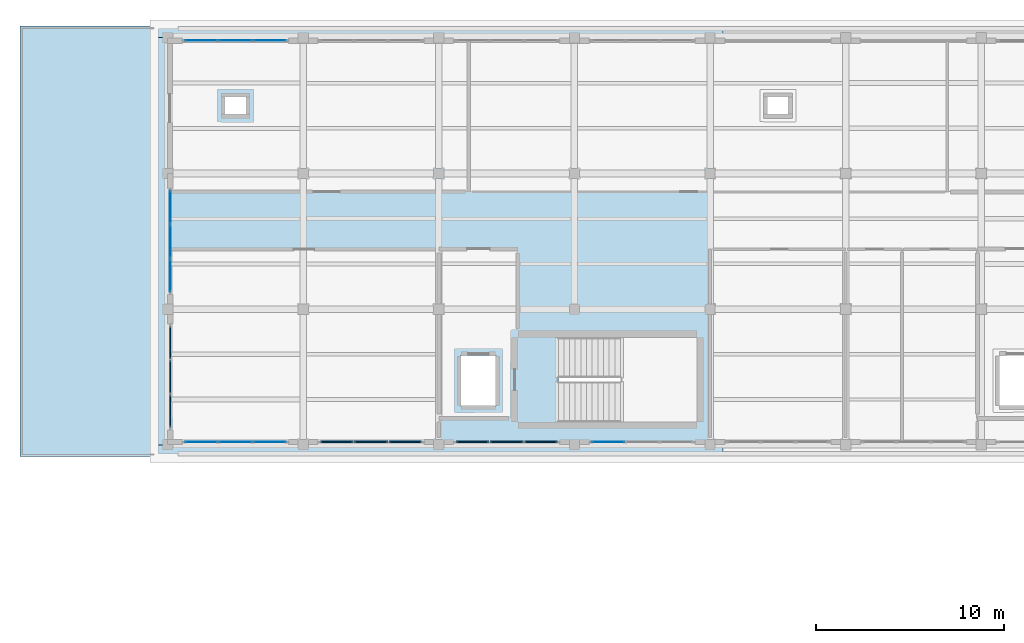
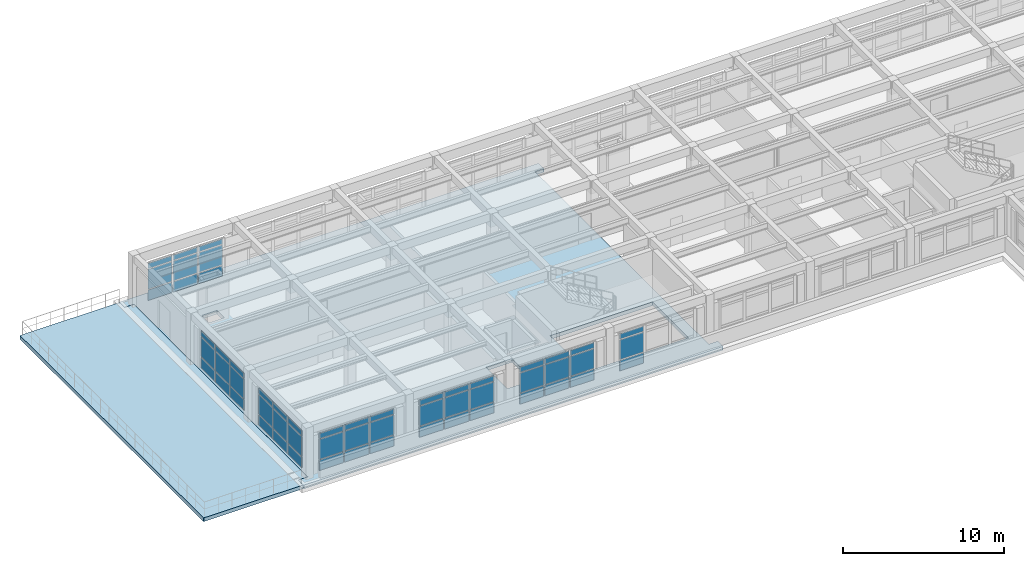
# One storey, part 11 of 21: 57 plates, 2 slabs, 7 elements without a shape of their own.
"""IFC4 building model written with IfcOpenShell, lengths in metres."""

from ifc_helpers import new_model, si_unit, direction, frame, origin, origin_2d, place, context, subcontext, project, spatial, polyline, rectangle, outline, extrude, material, layer, layer_set, type_object, element, aggregate, save


model = new_model("IFC4")

# Units and contexts
model_context = context("Model", 3, precision=1e-05, world=origin(), true_north=direction((0.0, 1.0)))
body_context = subcontext(model_context, "Body", "Model", "MODEL_VIEW")
ifc_project = project(units=[si_unit("LENGTHUNIT", "METRE"), si_unit("AREAUNIT", "SQUARE_METRE"), si_unit("VOLUMEUNIT", "CUBIC_METRE"), si_unit("PLANEANGLEUNIT", "RADIAN"), si_unit("MASSUNIT", "GRAM", prefix="KILO")], contexts=[model_context])

# Site, building, storey
site_placement = place(None, origin())
site = spatial("IfcSite", under=ifc_project, at=site_placement, CompositionType="ELEMENT")
building_placement = place(site_placement, origin())
building = spatial("IfcBuilding", under=site, at=building_placement, Name="Solenvale Faculty of Natural Sciences", CompositionType="ELEMENT")
storey_placement = place(building_placement, frame((0.0, 0.0, 31.199951171875)))
storey = spatial("IfcBuildingStorey", under=building, at=storey_placement, Name="L07", CompositionType="ELEMENT", Elevation=31.199951171875)

# Curtain wall, plates
ifc_material_1 = material(Name="Anodised bronze aluminium", Category="aluminium")
ifc_layer_1 = layer(ifc_material_1, 0.179931640625)
ifc_layer_set_1 = layer_set([ifc_layer_1], Name="Anodised bronze aluminium")
curtain_wall_type = type_object("IfcCurtainWallType", Name="CW-TWR-MOD", PredefinedType="USERDEFINED", material=ifc_layer_set_1)
curtain_wall_1_placement = place(storey_placement, origin())
curtain_wall_1 = element("IfcCurtainWall", 1, at=curtain_wall_1_placement, inside=storey, type_object=curtain_wall_type, Name="L07 Curtain Wall CW-L07-P1-E4-B4", ObjectType="UNITISED CURTAIN WALL", PredefinedType="USERDEFINED")
ifc_material_2 = material(Name="North-light skylight glass", Category="glass")
ifc_layer_2 = layer(ifc_material_2, 0.028076171875)
ifc_layer_set_2 = layer_set([ifc_layer_2], Name="North-light skylight glass")
plate_type_1 = type_object("IfcPlateType", Name="CWP-PNL-28", PredefinedType="CURTAIN_PANEL", material=ifc_layer_set_2)
plate_1_placement = place(storey_placement, frame((109.785400390625, 93.742431640625, 0.074951171875), z_axis=(0.0, 0.0, 1.0), x_axis=(1.0, 0.0, 0.0)))
plate_1 = element("IfcPlate", 2, at=plate_1_placement, type_object=plate_type_1, Name="CW-04 panel 1.1", PredefinedType="CURTAIN_PANEL", context=body_context, shape_type="SweptSolid", body=[
    extrude(rectangle(XDim=1.720947265625, YDim=0.028076171875, at=origin_2d()), origin(), (0.0, 0.0, 1.0), 0.78759765625),
])
plate_2_placement = place(storey_placement, frame((109.785400390625, 93.742431640625, 0.9375), z_axis=(0.0, 0.0, 1.0), x_axis=(1.0, 0.0, 0.0)))
plate_2 = element("IfcPlate", 3, at=plate_2_placement, type_object=plate_type_1, Name="CW-04 panel 1.2", PredefinedType="CURTAIN_PANEL", context=body_context, shape_type="SweptSolid", body=[
    extrude(rectangle(XDim=1.720947265625, YDim=0.028076171875, at=origin_2d()), origin(), (0.0, 0.0, 1.0), 1.485107421875),
])
plate_3_placement = place(storey_placement, frame((109.785400390625, 93.742431640625, 2.49755859375), z_axis=(0.0, 0.0, 1.0), x_axis=(1.0, 0.0, 0.0)))
plate_3 = element("IfcPlate", 4, at=plate_3_placement, type_object=plate_type_1, Name="CW-04 panel 1.3", PredefinedType="CURTAIN_PANEL", context=body_context, shape_type="SweptSolid", body=[
    extrude(rectangle(XDim=1.720947265625, YDim=0.028076171875, at=origin_2d()), origin(), (0.0, 0.0, 1.0), 0.387451171875),
])
aggregate(curtain_wall_1, [plate_1, plate_2, plate_3])

curtain_wall_2_placement = place(storey_placement, origin())
curtain_wall_2 = element("IfcCurtainWall", 5, at=curtain_wall_2_placement, inside=storey, type_object=curtain_wall_type, Name="L07 Curtain Wall CW-L07-P1-E2-B9", ObjectType="UNITISED CURTAIN WALL", PredefinedType="USERDEFINED")
ifc_material_3 = material(Name="Triple low-E insulated glass", Category="glass")
ifc_layer_3 = layer(ifc_material_3, 0.0400390625)
ifc_layer_set_3 = layer_set([ifc_layer_3], Name="Triple low-E insulated glass")
plate_type_2 = type_object("IfcPlateType", Name="CWP-PNL-40", PredefinedType="CURTAIN_PANEL", material=ifc_layer_set_3)
plate_4_placement = place(storey_placement, frame((91.814697265625, 115.0576171875, 0.074951171875), z_axis=(0.0, 0.0, 1.0), x_axis=(-1.0, 0.0, 0.0)))
plate_4 = element("IfcPlate", 6, at=plate_4_placement, type_object=plate_type_2, Name="CW-04 panel 1.1", PredefinedType="CURTAIN_PANEL", context=body_context, shape_type="SweptSolid", body=[
    extrude(rectangle(XDim=1.720947265625, YDim=0.0400390625, at=origin_2d()), origin(), (0.0, 0.0, 1.0), 0.78759765625),
])
plate_5_placement = place(storey_placement, frame((91.814697265625, 115.0576171875, 0.9375), z_axis=(0.0, 0.0, 1.0), x_axis=(-1.0, 0.0, 0.0)))
plate_5 = element("IfcPlate", 7, at=plate_5_placement, type_object=plate_type_2, Name="CW-04 panel 1.2", PredefinedType="CURTAIN_PANEL", context=body_context, shape_type="SweptSolid", body=[
    extrude(rectangle(XDim=1.720947265625, YDim=0.0400390625, at=origin_2d()), origin(), (0.0, 0.0, 1.0), 1.485107421875),
])
plate_6_placement = place(storey_placement, frame((91.814697265625, 115.0576171875, 2.49755859375), z_axis=(0.0, 0.0, 1.0), x_axis=(-1.0, 0.0, 0.0)))
plate_6 = element("IfcPlate", 8, at=plate_6_placement, type_object=plate_type_2, Name="CW-04 panel 1.3", PredefinedType="CURTAIN_PANEL", context=body_context, shape_type="SweptSolid", body=[
    extrude(rectangle(XDim=1.720947265625, YDim=0.0400390625, at=origin_2d()), origin(), (0.0, 0.0, 1.0), 0.387451171875),
])
plate_7_placement = place(storey_placement, frame((90.0, 115.0576171875, 0.074951171875), z_axis=(0.0, 0.0, 1.0), x_axis=(-1.0, 0.0, 0.0)))
plate_7 = element("IfcPlate", 9, at=plate_7_placement, type_object=plate_type_2, Name="CW-04 panel 2.1", PredefinedType="CURTAIN_PANEL", context=body_context, shape_type="SweptSolid", body=[
    extrude(rectangle(XDim=1.75830078125, YDim=0.0400390625, at=origin_2d()), origin(), (0.0, 0.0, 1.0), 0.78759765625),
])
plate_8_placement = place(storey_placement, frame((90.0, 115.0576171875, 0.9375), z_axis=(0.0, 0.0, 1.0), x_axis=(-1.0, 0.0, 0.0)))
plate_8 = element("IfcPlate", 10, at=plate_8_placement, type_object=plate_type_2, Name="CW-04 panel 2.2", PredefinedType="CURTAIN_PANEL", context=body_context, shape_type="SweptSolid", body=[
    extrude(rectangle(XDim=1.75830078125, YDim=0.0400390625, at=origin_2d()), origin(), (0.0, 0.0, 1.0), 1.485107421875),
])
plate_9_placement = place(storey_placement, frame((90.0, 115.0576171875, 2.49755859375), z_axis=(0.0, 0.0, 1.0), x_axis=(-1.0, 0.0, 0.0)))
plate_9 = element("IfcPlate", 11, at=plate_9_placement, type_object=plate_type_2, Name="CW-04 panel 2.3", PredefinedType="CURTAIN_PANEL", context=body_context, shape_type="SweptSolid", body=[
    extrude(rectangle(XDim=1.75830078125, YDim=0.0400390625, at=origin_2d()), origin(), (0.0, 0.0, 1.0), 0.387451171875),
])
plate_10_placement = place(storey_placement, frame((88.185302734375, 115.0576171875, 0.074951171875), z_axis=(0.0, 0.0, 1.0), x_axis=(-1.0, 0.0, 0.0)))
plate_10 = element("IfcPlate", 12, at=plate_10_placement, type_object=plate_type_2, Name="CW-04 panel 3.1", PredefinedType="CURTAIN_PANEL", context=body_context, shape_type="SweptSolid", body=[
    extrude(rectangle(XDim=1.720947265625, YDim=0.0400390625, at=origin_2d()), origin(), (0.0, 0.0, 1.0), 0.78759765625),
])
plate_11_placement = place(storey_placement, frame((88.185302734375, 115.0576171875, 0.9375), z_axis=(0.0, 0.0, 1.0), x_axis=(-1.0, 0.0, 0.0)))
plate_11 = element("IfcPlate", 13, at=plate_11_placement, type_object=plate_type_2, Name="CW-04 panel 3.2", PredefinedType="CURTAIN_PANEL", context=body_context, shape_type="SweptSolid", body=[
    extrude(rectangle(XDim=1.720947265625, YDim=0.0400390625, at=origin_2d()), origin(), (0.0, 0.0, 1.0), 1.485107421875),
])
plate_12_placement = place(storey_placement, frame((88.185302734375, 115.0576171875, 2.49755859375), z_axis=(0.0, 0.0, 1.0), x_axis=(-1.0, 0.0, 0.0)))
plate_12 = element("IfcPlate", 14, at=plate_12_placement, type_object=plate_type_2, Name="CW-04 panel 3.3", PredefinedType="CURTAIN_PANEL", context=body_context, shape_type="SweptSolid", body=[
    extrude(rectangle(XDim=1.720947265625, YDim=0.0400390625, at=origin_2d()), origin(), (0.0, 0.0, 1.0), 0.387451171875),
])
aggregate(curtain_wall_2, [plate_4, plate_5, plate_6, plate_7, plate_8, plate_9, plate_10, plate_11, plate_12])

curtain_wall_3_placement = place(storey_placement, origin())
curtain_wall_3 = element("IfcCurtainWall", 15, at=curtain_wall_3_placement, inside=storey, type_object=curtain_wall_type, Name="L07 Curtain Wall CW-L07-P1-E3-B2", ObjectType="UNITISED CURTAIN WALL", PredefinedType="USERDEFINED")
ifc_layer_4 = layer(ifc_material_1, 0.048095703125)
ifc_layer_set_4 = layer_set([ifc_layer_4], Name="Anodised bronze aluminium")
plate_type_3 = type_object("IfcPlateType", Name="CWP-PNL-48", PredefinedType="CURTAIN_PANEL", material=ifc_layer_set_4)
plate_13_placement = place(storey_placement, frame((86.54248046875, 106.214599609375, 0.074951171875), z_axis=(0.0, 0.0, 1.0), x_axis=(0.0, -1.0, 0.0)))
plate_13 = element("IfcPlate", 16, at=plate_13_placement, type_object=plate_type_3, Name="CW-04 panel 1.1", PredefinedType="CURTAIN_PANEL", context=body_context, shape_type="SweptSolid", body=[
    extrude(rectangle(XDim=1.720947265625, YDim=0.048095703125, at=origin_2d()), origin(), (0.0, 0.0, 1.0), 0.78759765625),
])
plate_14_placement = place(storey_placement, frame((86.54248046875, 106.214599609375, 0.9375), z_axis=(0.0, 0.0, 1.0), x_axis=(0.0, -1.0, 0.0)))
plate_14 = element("IfcPlate", 17, at=plate_14_placement, type_object=plate_type_3, Name="CW-04 panel 1.2", PredefinedType="CURTAIN_PANEL", context=body_context, shape_type="SweptSolid", body=[
    extrude(rectangle(XDim=1.720947265625, YDim=0.048095703125, at=origin_2d()), origin(), (0.0, 0.0, 1.0), 1.485107421875),
])
plate_15_placement = place(storey_placement, frame((86.54248046875, 106.214599609375, 2.49755859375), z_axis=(0.0, 0.0, 1.0), x_axis=(0.0, -1.0, 0.0)))
plate_15 = element("IfcPlate", 18, at=plate_15_placement, type_object=plate_type_3, Name="CW-04 panel 1.3", PredefinedType="CURTAIN_PANEL", context=body_context, shape_type="SweptSolid", body=[
    extrude(rectangle(XDim=1.720947265625, YDim=0.048095703125, at=origin_2d()), origin(), (0.0, 0.0, 1.0), 0.387451171875),
])
plate_16_placement = place(storey_placement, frame((86.54248046875, 104.39990234375, 0.074951171875), z_axis=(0.0, 0.0, 1.0), x_axis=(0.0, -1.0, 0.0)))
plate_16 = element("IfcPlate", 19, at=plate_16_placement, type_object=plate_type_3, Name="CW-04 panel 2.1", PredefinedType="CURTAIN_PANEL", context=body_context, shape_type="SweptSolid", body=[
    extrude(rectangle(XDim=1.75830078125, YDim=0.048095703125, at=origin_2d()), origin(), (0.0, 0.0, 1.0), 0.78759765625),
])
plate_17_placement = place(storey_placement, frame((86.54248046875, 104.39990234375, 0.9375), z_axis=(0.0, 0.0, 1.0), x_axis=(0.0, -1.0, 0.0)))
plate_17 = element("IfcPlate", 20, at=plate_17_placement, type_object=plate_type_3, Name="CW-04 panel 2.2", PredefinedType="CURTAIN_PANEL", context=body_context, shape_type="SweptSolid", body=[
    extrude(rectangle(XDim=1.75830078125, YDim=0.048095703125, at=origin_2d()), origin(), (0.0, 0.0, 1.0), 1.485107421875),
])
plate_18_placement = place(storey_placement, frame((86.54248046875, 104.39990234375, 2.49755859375), z_axis=(0.0, 0.0, 1.0), x_axis=(0.0, -1.0, 0.0)))
plate_18 = element("IfcPlate", 21, at=plate_18_placement, type_object=plate_type_3, Name="CW-04 panel 2.3", PredefinedType="CURTAIN_PANEL", context=body_context, shape_type="SweptSolid", body=[
    extrude(rectangle(XDim=1.75830078125, YDim=0.048095703125, at=origin_2d()), origin(), (0.0, 0.0, 1.0), 0.387451171875),
])
plate_19_placement = place(storey_placement, frame((86.54248046875, 102.58544921875, 0.074951171875), z_axis=(0.0, 0.0, 1.0), x_axis=(0.0, -1.0, 0.0)))
plate_19 = element("IfcPlate", 22, at=plate_19_placement, type_object=plate_type_3, Name="CW-04 panel 3.1", PredefinedType="CURTAIN_PANEL", context=body_context, shape_type="SweptSolid", body=[
    extrude(rectangle(XDim=1.720947265625, YDim=0.048095703125, at=origin_2d()), origin(), (0.0, 0.0, 1.0), 0.78759765625),
])
plate_20_placement = place(storey_placement, frame((86.54248046875, 102.58544921875, 0.9375), z_axis=(0.0, 0.0, 1.0), x_axis=(0.0, -1.0, 0.0)))
plate_20 = element("IfcPlate", 23, at=plate_20_placement, type_object=plate_type_3, Name="CW-04 panel 3.2", PredefinedType="CURTAIN_PANEL", context=body_context, shape_type="SweptSolid", body=[
    extrude(rectangle(XDim=1.720947265625, YDim=0.048095703125, at=origin_2d()), origin(), (0.0, 0.0, 1.0), 1.485107421875),
])
plate_21_placement = place(storey_placement, frame((86.54248046875, 102.58544921875, 2.49755859375), z_axis=(0.0, 0.0, 1.0), x_axis=(0.0, -1.0, 0.0)))
plate_21 = element("IfcPlate", 24, at=plate_21_placement, type_object=plate_type_3, Name="CW-04 panel 3.3", PredefinedType="CURTAIN_PANEL", context=body_context, shape_type="SweptSolid", body=[
    extrude(rectangle(XDim=1.720947265625, YDim=0.048095703125, at=origin_2d()), origin(), (0.0, 0.0, 1.0), 0.387451171875),
])
aggregate(curtain_wall_3, [plate_13, plate_14, plate_15, plate_16, plate_17, plate_18, plate_19, plate_20, plate_21])

curtain_wall_4_placement = place(storey_placement, origin())
curtain_wall_4 = element("IfcCurtainWall", 25, at=curtain_wall_4_placement, inside=storey, type_object=curtain_wall_type, Name="L07 Curtain Wall CW-L07-P1-E4-B1", ObjectType="UNITISED CURTAIN WALL", PredefinedType="USERDEFINED")
plate_22_placement = place(storey_placement, frame((88.185302734375, 93.742431640625, 0.074951171875), z_axis=(0.0, 0.0, 1.0), x_axis=(1.0, 0.0, 0.0)))
plate_22 = element("IfcPlate", 26, at=plate_22_placement, type_object=plate_type_3, Name="CW-04 panel 1.1", PredefinedType="CURTAIN_PANEL", context=body_context, shape_type="SweptSolid", body=[
    extrude(rectangle(XDim=1.720947265625, YDim=0.048095703125, at=origin_2d()), origin(), (0.0, 0.0, 1.0), 0.78759765625),
])
plate_23_placement = place(storey_placement, frame((88.185302734375, 93.742431640625, 0.9375), z_axis=(0.0, 0.0, 1.0), x_axis=(1.0, 0.0, 0.0)))
plate_23 = element("IfcPlate", 27, at=plate_23_placement, type_object=plate_type_3, Name="CW-04 panel 1.2", PredefinedType="CURTAIN_PANEL", context=body_context, shape_type="SweptSolid", body=[
    extrude(rectangle(XDim=1.720947265625, YDim=0.048095703125, at=origin_2d()), origin(), (0.0, 0.0, 1.0), 1.485107421875),
])
plate_24_placement = place(storey_placement, frame((88.185302734375, 93.742431640625, 2.49755859375), z_axis=(0.0, 0.0, 1.0), x_axis=(1.0, 0.0, 0.0)))
plate_24 = element("IfcPlate", 28, at=plate_24_placement, type_object=plate_type_3, Name="CW-04 panel 1.3", PredefinedType="CURTAIN_PANEL", context=body_context, shape_type="SweptSolid", body=[
    extrude(rectangle(XDim=1.720947265625, YDim=0.048095703125, at=origin_2d()), origin(), (0.0, 0.0, 1.0), 0.387451171875),
])
plate_25_placement = place(storey_placement, frame((90.0, 93.742431640625, 0.074951171875), z_axis=(0.0, 0.0, 1.0), x_axis=(1.0, 0.0, 0.0)))
plate_25 = element("IfcPlate", 29, at=plate_25_placement, type_object=plate_type_3, Name="CW-04 panel 2.1", PredefinedType="CURTAIN_PANEL", context=body_context, shape_type="SweptSolid", body=[
    extrude(rectangle(XDim=1.75830078125, YDim=0.048095703125, at=origin_2d()), origin(), (0.0, 0.0, 1.0), 0.78759765625),
])
plate_26_placement = place(storey_placement, frame((90.0, 93.742431640625, 0.9375), z_axis=(0.0, 0.0, 1.0), x_axis=(1.0, 0.0, 0.0)))
plate_26 = element("IfcPlate", 30, at=plate_26_placement, type_object=plate_type_3, Name="CW-04 panel 2.2", PredefinedType="CURTAIN_PANEL", context=body_context, shape_type="SweptSolid", body=[
    extrude(rectangle(XDim=1.75830078125, YDim=0.048095703125, at=origin_2d()), origin(), (0.0, 0.0, 1.0), 1.485107421875),
])
plate_27_placement = place(storey_placement, frame((90.0, 93.742431640625, 2.49755859375), z_axis=(0.0, 0.0, 1.0), x_axis=(1.0, 0.0, 0.0)))
plate_27 = element("IfcPlate", 31, at=plate_27_placement, type_object=plate_type_3, Name="CW-04 panel 2.3", PredefinedType="CURTAIN_PANEL", context=body_context, shape_type="SweptSolid", body=[
    extrude(rectangle(XDim=1.75830078125, YDim=0.048095703125, at=origin_2d()), origin(), (0.0, 0.0, 1.0), 0.387451171875),
])
plate_28_placement = place(storey_placement, frame((91.814697265625, 93.742431640625, 0.074951171875), z_axis=(0.0, 0.0, 1.0), x_axis=(1.0, 0.0, 0.0)))
plate_28 = element("IfcPlate", 32, at=plate_28_placement, type_object=plate_type_3, Name="CW-04 panel 3.1", PredefinedType="CURTAIN_PANEL", context=body_context, shape_type="SweptSolid", body=[
    extrude(rectangle(XDim=1.720947265625, YDim=0.048095703125, at=origin_2d()), origin(), (0.0, 0.0, 1.0), 0.78759765625),
])
plate_29_placement = place(storey_placement, frame((91.814697265625, 93.742431640625, 0.9375), z_axis=(0.0, 0.0, 1.0), x_axis=(1.0, 0.0, 0.0)))
plate_29 = element("IfcPlate", 33, at=plate_29_placement, type_object=plate_type_3, Name="CW-04 panel 3.2", PredefinedType="CURTAIN_PANEL", context=body_context, shape_type="SweptSolid", body=[
    extrude(rectangle(XDim=1.720947265625, YDim=0.048095703125, at=origin_2d()), origin(), (0.0, 0.0, 1.0), 1.485107421875),
])
plate_30_placement = place(storey_placement, frame((91.814697265625, 93.742431640625, 2.49755859375), z_axis=(0.0, 0.0, 1.0), x_axis=(1.0, 0.0, 0.0)))
plate_30 = element("IfcPlate", 34, at=plate_30_placement, type_object=plate_type_3, Name="CW-04 panel 3.3", PredefinedType="CURTAIN_PANEL", context=body_context, shape_type="SweptSolid", body=[
    extrude(rectangle(XDim=1.720947265625, YDim=0.048095703125, at=origin_2d()), origin(), (0.0, 0.0, 1.0), 0.387451171875),
])
aggregate(curtain_wall_4, [plate_22, plate_23, plate_24, plate_25, plate_26, plate_27, plate_28, plate_29, plate_30])

curtain_wall_5_placement = place(storey_placement, origin())
curtain_wall_5 = element("IfcCurtainWall", 35, at=curtain_wall_5_placement, inside=storey, type_object=curtain_wall_type, Name="L07 Curtain Wall CW-L07-P1-E3-B3", ObjectType="UNITISED CURTAIN WALL", PredefinedType="USERDEFINED")
ifc_layer_5 = layer(ifc_material_1, 0.053955078125)
ifc_layer_set_5 = layer_set([ifc_layer_5], Name="Anodised bronze aluminium")
plate_type_4 = type_object("IfcPlateType", Name="CWP-PNL-54", PredefinedType="CURTAIN_PANEL", material=ifc_layer_set_5)
plate_31_placement = place(storey_placement, frame((86.54248046875, 99.0146484375, 0.074951171875), z_axis=(0.0, 0.0, 1.0), x_axis=(0.0, -1.0, 0.0)))
plate_31 = element("IfcPlate", 36, at=plate_31_placement, type_object=plate_type_4, Name="CW-04 panel 1.1", PredefinedType="CURTAIN_PANEL", context=body_context, shape_type="SweptSolid", body=[
    extrude(rectangle(XDim=1.720947265625, YDim=0.053955078125, at=origin_2d()), origin(), (0.0, 0.0, 1.0), 0.78759765625),
])
plate_32_placement = place(storey_placement, frame((86.54248046875, 99.0146484375, 0.9375), z_axis=(0.0, 0.0, 1.0), x_axis=(0.0, -1.0, 0.0)))
plate_32 = element("IfcPlate", 37, at=plate_32_placement, type_object=plate_type_4, Name="CW-04 panel 1.2", PredefinedType="CURTAIN_PANEL", context=body_context, shape_type="SweptSolid", body=[
    extrude(rectangle(XDim=1.720947265625, YDim=0.053955078125, at=origin_2d()), origin(), (0.0, 0.0, 1.0), 1.485107421875),
])
plate_33_placement = place(storey_placement, frame((86.54248046875, 99.0146484375, 2.49755859375), z_axis=(0.0, 0.0, 1.0), x_axis=(0.0, -1.0, 0.0)))
plate_33 = element("IfcPlate", 38, at=plate_33_placement, type_object=plate_type_4, Name="CW-04 panel 1.3", PredefinedType="CURTAIN_PANEL", context=body_context, shape_type="SweptSolid", body=[
    extrude(rectangle(XDim=1.720947265625, YDim=0.053955078125, at=origin_2d()), origin(), (0.0, 0.0, 1.0), 0.387451171875),
])
plate_34_placement = place(storey_placement, frame((86.54248046875, 97.199951171875, 0.074951171875), z_axis=(0.0, 0.0, 1.0), x_axis=(0.0, -1.0, 0.0)))
plate_34 = element("IfcPlate", 39, at=plate_34_placement, type_object=plate_type_4, Name="CW-04 panel 2.1", PredefinedType="CURTAIN_PANEL", context=body_context, shape_type="SweptSolid", body=[
    extrude(rectangle(XDim=1.75830078125, YDim=0.053955078125, at=origin_2d()), origin(), (0.0, 0.0, 1.0), 0.78759765625),
])
plate_35_placement = place(storey_placement, frame((86.54248046875, 97.199951171875, 0.9375), z_axis=(0.0, 0.0, 1.0), x_axis=(0.0, -1.0, 0.0)))
plate_35 = element("IfcPlate", 40, at=plate_35_placement, type_object=plate_type_4, Name="CW-04 panel 2.2", PredefinedType="CURTAIN_PANEL", context=body_context, shape_type="SweptSolid", body=[
    extrude(rectangle(XDim=1.75830078125, YDim=0.053955078125, at=origin_2d()), origin(), (0.0, 0.0, 1.0), 1.485107421875),
])
plate_36_placement = place(storey_placement, frame((86.54248046875, 97.199951171875, 2.49755859375), z_axis=(0.0, 0.0, 1.0), x_axis=(0.0, -1.0, 0.0)))
plate_36 = element("IfcPlate", 41, at=plate_36_placement, type_object=plate_type_4, Name="CW-04 panel 2.3", PredefinedType="CURTAIN_PANEL", context=body_context, shape_type="SweptSolid", body=[
    extrude(rectangle(XDim=1.75830078125, YDim=0.053955078125, at=origin_2d()), origin(), (0.0, 0.0, 1.0), 0.387451171875),
])
plate_37_placement = place(storey_placement, frame((86.54248046875, 95.385498046875, 0.074951171875), z_axis=(0.0, 0.0, 1.0), x_axis=(0.0, -1.0, 0.0)))
plate_37 = element("IfcPlate", 42, at=plate_37_placement, type_object=plate_type_4, Name="CW-04 panel 3.1", PredefinedType="CURTAIN_PANEL", context=body_context, shape_type="SweptSolid", body=[
    extrude(rectangle(XDim=1.720947265625, YDim=0.053955078125, at=origin_2d()), origin(), (0.0, 0.0, 1.0), 0.78759765625),
])
plate_38_placement = place(storey_placement, frame((86.54248046875, 95.385498046875, 0.9375), z_axis=(0.0, 0.0, 1.0), x_axis=(0.0, -1.0, 0.0)))
plate_38 = element("IfcPlate", 43, at=plate_38_placement, type_object=plate_type_4, Name="CW-04 panel 3.2", PredefinedType="CURTAIN_PANEL", context=body_context, shape_type="SweptSolid", body=[
    extrude(rectangle(XDim=1.720947265625, YDim=0.053955078125, at=origin_2d()), origin(), (0.0, 0.0, 1.0), 1.485107421875),
])
plate_39_placement = place(storey_placement, frame((86.54248046875, 95.385498046875, 2.49755859375), z_axis=(0.0, 0.0, 1.0), x_axis=(0.0, -1.0, 0.0)))
plate_39 = element("IfcPlate", 44, at=plate_39_placement, type_object=plate_type_4, Name="CW-04 panel 3.3", PredefinedType="CURTAIN_PANEL", context=body_context, shape_type="SweptSolid", body=[
    extrude(rectangle(XDim=1.720947265625, YDim=0.053955078125, at=origin_2d()), origin(), (0.0, 0.0, 1.0), 0.387451171875),
])
aggregate(curtain_wall_5, [plate_31, plate_32, plate_33, plate_34, plate_35, plate_36, plate_37, plate_38, plate_39])

curtain_wall_6_placement = place(storey_placement, origin())
curtain_wall_6 = element("IfcCurtainWall", 45, at=curtain_wall_6_placement, inside=storey, type_object=curtain_wall_type, Name="L07 Curtain Wall CW-L07-P1-E4-B2", ObjectType="UNITISED CURTAIN WALL", PredefinedType="USERDEFINED")
plate_40_placement = place(storey_placement, frame((95.385498046875, 93.742431640625, 0.074951171875), z_axis=(0.0, 0.0, 1.0), x_axis=(1.0, 0.0, 0.0)))
plate_40 = element("IfcPlate", 46, at=plate_40_placement, type_object=plate_type_4, Name="CW-04 panel 1.1", PredefinedType="CURTAIN_PANEL", context=body_context, shape_type="SweptSolid", body=[
    extrude(rectangle(XDim=1.720947265625, YDim=0.053955078125, at=origin_2d()), origin(), (0.0, 0.0, 1.0), 0.78759765625),
])
plate_41_placement = place(storey_placement, frame((95.385498046875, 93.742431640625, 0.9375), z_axis=(0.0, 0.0, 1.0), x_axis=(1.0, 0.0, 0.0)))
plate_41 = element("IfcPlate", 47, at=plate_41_placement, type_object=plate_type_4, Name="CW-04 panel 1.2", PredefinedType="CURTAIN_PANEL", context=body_context, shape_type="SweptSolid", body=[
    extrude(rectangle(XDim=1.720947265625, YDim=0.053955078125, at=origin_2d()), origin(), (0.0, 0.0, 1.0), 1.485107421875),
])
plate_42_placement = place(storey_placement, frame((95.385498046875, 93.742431640625, 2.49755859375), z_axis=(0.0, 0.0, 1.0), x_axis=(1.0, 0.0, 0.0)))
plate_42 = element("IfcPlate", 48, at=plate_42_placement, type_object=plate_type_4, Name="CW-04 panel 1.3", PredefinedType="CURTAIN_PANEL", context=body_context, shape_type="SweptSolid", body=[
    extrude(rectangle(XDim=1.720947265625, YDim=0.053955078125, at=origin_2d()), origin(), (0.0, 0.0, 1.0), 0.387451171875),
])
plate_43_placement = place(storey_placement, frame((97.199951171875, 93.742431640625, 0.074951171875), z_axis=(0.0, 0.0, 1.0), x_axis=(1.0, 0.0, 0.0)))
plate_43 = element("IfcPlate", 49, at=plate_43_placement, type_object=plate_type_4, Name="CW-04 panel 2.1", PredefinedType="CURTAIN_PANEL", context=body_context, shape_type="SweptSolid", body=[
    extrude(rectangle(XDim=1.75830078125, YDim=0.053955078125, at=origin_2d()), origin(), (0.0, 0.0, 1.0), 0.78759765625),
])
plate_44_placement = place(storey_placement, frame((97.199951171875, 93.742431640625, 0.9375), z_axis=(0.0, 0.0, 1.0), x_axis=(1.0, 0.0, 0.0)))
plate_44 = element("IfcPlate", 50, at=plate_44_placement, type_object=plate_type_4, Name="CW-04 panel 2.2", PredefinedType="CURTAIN_PANEL", context=body_context, shape_type="SweptSolid", body=[
    extrude(rectangle(XDim=1.75830078125, YDim=0.053955078125, at=origin_2d()), origin(), (0.0, 0.0, 1.0), 1.485107421875),
])
plate_45_placement = place(storey_placement, frame((97.199951171875, 93.742431640625, 2.49755859375), z_axis=(0.0, 0.0, 1.0), x_axis=(1.0, 0.0, 0.0)))
plate_45 = element("IfcPlate", 51, at=plate_45_placement, type_object=plate_type_4, Name="CW-04 panel 2.3", PredefinedType="CURTAIN_PANEL", context=body_context, shape_type="SweptSolid", body=[
    extrude(rectangle(XDim=1.75830078125, YDim=0.053955078125, at=origin_2d()), origin(), (0.0, 0.0, 1.0), 0.387451171875),
])
plate_46_placement = place(storey_placement, frame((99.0146484375, 93.742431640625, 0.074951171875), z_axis=(0.0, 0.0, 1.0), x_axis=(1.0, 0.0, 0.0)))
plate_46 = element("IfcPlate", 52, at=plate_46_placement, type_object=plate_type_4, Name="CW-04 panel 3.1", PredefinedType="CURTAIN_PANEL", context=body_context, shape_type="SweptSolid", body=[
    extrude(rectangle(XDim=1.720947265625, YDim=0.053955078125, at=origin_2d()), origin(), (0.0, 0.0, 1.0), 0.78759765625),
])
plate_47_placement = place(storey_placement, frame((99.0146484375, 93.742431640625, 0.9375), z_axis=(0.0, 0.0, 1.0), x_axis=(1.0, 0.0, 0.0)))
plate_47 = element("IfcPlate", 53, at=plate_47_placement, type_object=plate_type_4, Name="CW-04 panel 3.2", PredefinedType="CURTAIN_PANEL", context=body_context, shape_type="SweptSolid", body=[
    extrude(rectangle(XDim=1.720947265625, YDim=0.053955078125, at=origin_2d()), origin(), (0.0, 0.0, 1.0), 1.485107421875),
])
plate_48_placement = place(storey_placement, frame((99.0146484375, 93.742431640625, 2.49755859375), z_axis=(0.0, 0.0, 1.0), x_axis=(1.0, 0.0, 0.0)))
plate_48 = element("IfcPlate", 54, at=plate_48_placement, type_object=plate_type_4, Name="CW-04 panel 3.3", PredefinedType="CURTAIN_PANEL", context=body_context, shape_type="SweptSolid", body=[
    extrude(rectangle(XDim=1.720947265625, YDim=0.053955078125, at=origin_2d()), origin(), (0.0, 0.0, 1.0), 0.387451171875),
])
aggregate(curtain_wall_6, [plate_40, plate_41, plate_42, plate_43, plate_44, plate_45, plate_46, plate_47, plate_48])

curtain_wall_7_placement = place(storey_placement, origin())
curtain_wall_7 = element("IfcCurtainWall", 55, at=curtain_wall_7_placement, inside=storey, type_object=curtain_wall_type, Name="L07 Curtain Wall CW-L07-P1-E4-B3", ObjectType="UNITISED CURTAIN WALL", PredefinedType="USERDEFINED")
ifc_layer_6 = layer(ifc_material_1, 0.06005859375)
ifc_layer_set_6 = layer_set([ifc_layer_6], Name="Anodised bronze aluminium")
plate_type_5 = type_object("IfcPlateType", Name="CWP-PNL-60", PredefinedType="CURTAIN_PANEL", material=ifc_layer_set_6)
plate_49_placement = place(storey_placement, frame((102.58544921875, 93.742431640625, 0.074951171875), z_axis=(0.0, 0.0, 1.0), x_axis=(1.0, 0.0, 0.0)))
plate_49 = element("IfcPlate", 56, at=plate_49_placement, type_object=plate_type_5, Name="CW-04 panel 1.1", PredefinedType="CURTAIN_PANEL", context=body_context, shape_type="SweptSolid", body=[
    extrude(rectangle(XDim=1.720947265625, YDim=0.06005859375, at=origin_2d()), origin(), (0.0, 0.0, 1.0), 0.78759765625),
])
plate_50_placement = place(storey_placement, frame((102.58544921875, 93.742431640625, 0.9375), z_axis=(0.0, 0.0, 1.0), x_axis=(1.0, 0.0, 0.0)))
plate_50 = element("IfcPlate", 57, at=plate_50_placement, type_object=plate_type_5, Name="CW-04 panel 1.2", PredefinedType="CURTAIN_PANEL", context=body_context, shape_type="SweptSolid", body=[
    extrude(rectangle(XDim=1.720947265625, YDim=0.06005859375, at=origin_2d()), origin(), (0.0, 0.0, 1.0), 1.485107421875),
])
plate_51_placement = place(storey_placement, frame((102.58544921875, 93.742431640625, 2.49755859375), z_axis=(0.0, 0.0, 1.0), x_axis=(1.0, 0.0, 0.0)))
plate_51 = element("IfcPlate", 58, at=plate_51_placement, type_object=plate_type_5, Name="CW-04 panel 1.3", PredefinedType="CURTAIN_PANEL", context=body_context, shape_type="SweptSolid", body=[
    extrude(rectangle(XDim=1.720947265625, YDim=0.06005859375, at=origin_2d()), origin(), (0.0, 0.0, 1.0), 0.387451171875),
])
plate_52_placement = place(storey_placement, frame((104.39990234375, 93.742431640625, 0.074951171875), z_axis=(0.0, 0.0, 1.0), x_axis=(1.0, 0.0, 0.0)))
plate_52 = element("IfcPlate", 59, at=plate_52_placement, type_object=plate_type_5, Name="CW-04 panel 2.1", PredefinedType="CURTAIN_PANEL", context=body_context, shape_type="SweptSolid", body=[
    extrude(rectangle(XDim=1.75830078125, YDim=0.06005859375, at=origin_2d()), origin(), (0.0, 0.0, 1.0), 0.78759765625),
])
plate_53_placement = place(storey_placement, frame((104.39990234375, 93.742431640625, 0.9375), z_axis=(0.0, 0.0, 1.0), x_axis=(1.0, 0.0, 0.0)))
plate_53 = element("IfcPlate", 60, at=plate_53_placement, type_object=plate_type_5, Name="CW-04 panel 2.2", PredefinedType="CURTAIN_PANEL", context=body_context, shape_type="SweptSolid", body=[
    extrude(rectangle(XDim=1.75830078125, YDim=0.06005859375, at=origin_2d()), origin(), (0.0, 0.0, 1.0), 1.485107421875),
])
plate_54_placement = place(storey_placement, frame((104.39990234375, 93.742431640625, 2.49755859375), z_axis=(0.0, 0.0, 1.0), x_axis=(1.0, 0.0, 0.0)))
plate_54 = element("IfcPlate", 61, at=plate_54_placement, type_object=plate_type_5, Name="CW-04 panel 2.3", PredefinedType="CURTAIN_PANEL", context=body_context, shape_type="SweptSolid", body=[
    extrude(rectangle(XDim=1.75830078125, YDim=0.06005859375, at=origin_2d()), origin(), (0.0, 0.0, 1.0), 0.387451171875),
])
plate_55_placement = place(storey_placement, frame((106.214599609375, 93.742431640625, 0.074951171875), z_axis=(0.0, 0.0, 1.0), x_axis=(1.0, 0.0, 0.0)))
plate_55 = element("IfcPlate", 62, at=plate_55_placement, type_object=plate_type_5, Name="CW-04 panel 3.1", PredefinedType="CURTAIN_PANEL", context=body_context, shape_type="SweptSolid", body=[
    extrude(rectangle(XDim=1.720947265625, YDim=0.06005859375, at=origin_2d()), origin(), (0.0, 0.0, 1.0), 0.78759765625),
])
plate_56_placement = place(storey_placement, frame((106.214599609375, 93.742431640625, 0.9375), z_axis=(0.0, 0.0, 1.0), x_axis=(1.0, 0.0, 0.0)))
plate_56 = element("IfcPlate", 63, at=plate_56_placement, type_object=plate_type_5, Name="CW-04 panel 3.2", PredefinedType="CURTAIN_PANEL", context=body_context, shape_type="SweptSolid", body=[
    extrude(rectangle(XDim=1.720947265625, YDim=0.06005859375, at=origin_2d()), origin(), (0.0, 0.0, 1.0), 1.485107421875),
])
plate_57_placement = place(storey_placement, frame((106.214599609375, 93.742431640625, 2.49755859375), z_axis=(0.0, 0.0, 1.0), x_axis=(1.0, 0.0, 0.0)))
plate_57 = element("IfcPlate", 64, at=plate_57_placement, type_object=plate_type_5, Name="CW-04 panel 3.3", PredefinedType="CURTAIN_PANEL", context=body_context, shape_type="SweptSolid", body=[
    extrude(rectangle(XDim=1.720947265625, YDim=0.06005859375, at=origin_2d()), origin(), (0.0, 0.0, 1.0), 0.387451171875),
])
aggregate(curtain_wall_7, [plate_49, plate_50, plate_51, plate_52, plate_53, plate_54, plate_55, plate_56, plate_57])

# Slabs
ifc_material_4 = material(Name="Concrete 40 MPa", Category="concrete")
ifc_layer_7 = layer(ifc_material_4, 0.280029296875)
ifc_layer_set_7 = layer_set([ifc_layer_7], Name="Concrete 40 MPa")
slab_type_1 = type_object("IfcSlabType", Name="SL-FLR-280", PredefinedType="FLOOR", material=ifc_layer_set_7)
slab_1_placement = place(storey_placement, frame((0.0, 0.0, -0.280029296875)))
element("IfcSlab", 65, at=slab_1_placement, inside=storey, type_object=slab_type_1, Name="L07 V5 Floor Slab 1.1", PredefinedType="FLOOR", context=body_context, shape_type="SweptSolid", body=[
    extrude(outline(polyline([(86.418701171875, 93.600341796875), (86.406005859375, 93.608154296875), (86.39990234375, 93.62451171875), (86.39990234375, 115.175537109375), (86.406005859375, 115.19189453125), (86.419921875, 115.20068359375), (86.413818359375, 115.214599609375), (86.400390625, 115.219970703125), (85.7451171875, 115.219970703125), (85.727294921875, 115.227294921875), (85.719970703125, 115.2451171875), (85.719970703125, 115.85498046875), (85.72900390625, 115.874267578125), (85.7451171875, 115.8798828125), (115.85498046875, 115.8798828125), (115.874267578125, 115.870849609375), (115.8798828125, 115.85498046875), (115.8798828125, 115.2451171875), (115.872802734375, 115.227294921875), (115.85498046875, 115.219970703125), (115.249755859375, 115.219970703125), (115.2353515625, 115.213623046875), (115.22998046875, 115.19970703125), (115.22998046875, 93.599609375), (115.2353515625, 93.586181640625), (115.249755859375, 93.580078125), (115.85498046875, 93.580078125), (115.872802734375, 93.57275390625), (115.8798828125, 93.554931640625), (115.8798828125, 92.945068359375), (115.870849609375, 92.92578125), (115.85498046875, 92.919921875), (85.7451171875, 92.919921875), (85.727294921875, 92.92724609375), (85.719970703125, 92.945068359375), (85.719970703125, 93.554931640625), (85.727294921875, 93.57275390625), (85.7451171875, 93.580078125), (86.400390625, 93.580078125), (86.41455078125, 93.586181640625), (86.418701171875, 93.600341796875)]), holes=[polyline([(107.139892578125, 94.800048828125), (114.5, 94.800048828125), (114.5, 99.300048828125), (107.139892578125, 99.300048828125), (107.139892578125, 94.800048828125)]), polyline([(101.9599609375, 95.66064453125), (103.840087890625, 95.659912109375), (103.840087890625, 98.340087890625), (101.9599609375, 98.340087890625), (101.9599609375, 95.66064453125)]), polyline([(89.449951171875, 111.14990234375), (90.550048828125, 111.14990234375), (90.550048828125, 112.050048828125), (89.449951171875, 112.050048828125), (89.449951171875, 111.14990234375)])]), origin(), (0.0, 0.0, 1.0), 0.280029296875),
])
ifc_material_5 = material(Name="Precast terrace paving concrete 35 MPa", Category="concrete")
ifc_layer_8 = layer(ifc_material_5, 0.280029296875)
ifc_layer_set_8 = layer_set([ifc_layer_8], Name="Precast terrace paving concrete 35 MPa")
slab_type_2 = type_object("IfcSlabType", Name="SL-TERR-280", PredefinedType="FLOOR", material=ifc_layer_set_8)
slab_2_placement = place(storey_placement, frame((0.0, 0.0, -0.280029296875)))
element("IfcSlab", 66, at=slab_2_placement, inside=storey, type_object=slab_type_2, Name="L07 Tower Shoulder Terrace L07", PredefinedType="FLOOR", context=body_context, shape_type="SweptSolid", body=[
    extrude(outline(polyline([(85.699951171875, 115.840087890625), (85.714111328125, 115.833984375), (85.719970703125, 115.820068359375), (85.719970703125, 115.219970703125), (86.3798828125, 115.219970703125), (86.39404296875, 115.214111328125), (86.39990234375, 115.199951171875), (86.399169921875, 93.59423828125), (86.3798828125, 93.580078125), (85.719970703125, 93.580078125), (85.719970703125, 92.97998046875), (85.715576171875, 92.96728515625), (85.701904296875, 92.960205078125), (78.57421875, 92.9609375), (78.56005859375, 92.97998046875), (78.560791015625, 115.82568359375), (78.580078125, 115.840087890625), (85.699951171875, 115.840087890625)])), origin(), (0.0, 0.0, 1.0), 0.280029296875),
])

save(model, "model.ifc")
